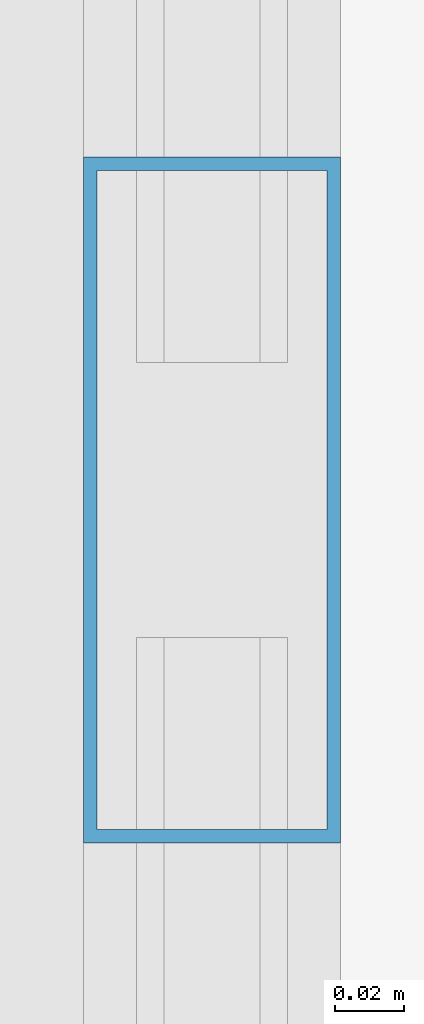
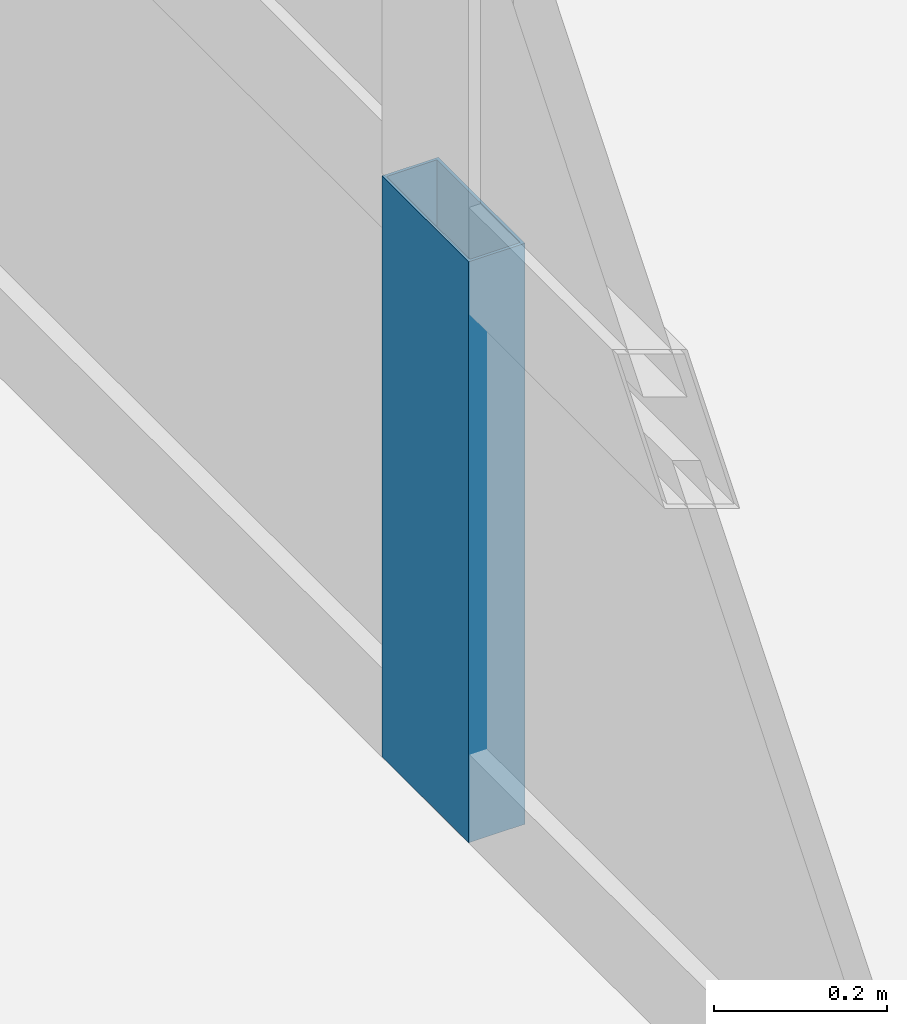
# One storey, part 21 of 35: 1 member, 1 element without a shape of its own.
"""IFC4 building model written with IfcOpenShell, lengths in metres."""

from ifc_helpers import new_model, si_unit, direction, frame, origin, origin_2d, place, context, subcontext, project, spatial, hollow_rectangle, extrude, source, transform, mapped, material, layer, layer_set, material_profile, profile_set, type_object, element, aggregate, save


model = new_model("IFC4")

# Units and contexts
model_context = context("Model", 3, precision=1e-05, world=origin(), true_north=direction((0.0, 1.0)))
body_context = subcontext(model_context, "Body", "Model", "MODEL_VIEW")
ifc_project = project(units=[si_unit("LENGTHUNIT", "METRE"), si_unit("AREAUNIT", "SQUARE_METRE"), si_unit("VOLUMEUNIT", "CUBIC_METRE"), si_unit("PLANEANGLEUNIT", "RADIAN"), si_unit("MASSUNIT", "GRAM", prefix="KILO"), si_unit("THERMODYNAMICTEMPERATUREUNIT", "KELVIN"), si_unit("POWERUNIT", "WATT")], contexts=[model_context])

# Site, building, storey
site_placement = place(None, origin())
site = spatial("IfcSite", under=ifc_project, at=site_placement, CompositionType="ELEMENT")
building_placement = place(site_placement, origin())
building = spatial("IfcBuilding", under=site, at=building_placement, Name="Yuzanri Waterfront Tower", CompositionType="ELEMENT")
storey_placement = place(building_placement, frame((0.0, 0.0, 343.199951171875)))
storey = spatial("IfcBuildingStorey", under=building, at=storey_placement, Name="L92", CompositionType="ELEMENT", Elevation=343.199951171875)

# Curtain wall, member
ifc_material_1 = material(Name="Anodized Architectural Bronze", Category="metal")
ifc_layer = layer(ifc_material_1, 0.159912109375)
ifc_layer_set = layer_set([ifc_layer], Name="Anodized Architectural Bronze")
curtain_wall_type = type_object("IfcCurtainWallType", Name="Anodized Bronze High-Rise Penthouse High-Wind Unitized Curtain Wall 6900", PredefinedType="NOTDEFINED", material=ifc_layer_set)
curtain_wall_placement = place(storey_placement, origin())
curtain_wall = element("IfcCurtainWall", 1, at=curtain_wall_placement, inside=storey, type_object=curtain_wall_type, Name="L92 Curtain Wall CW-L92-WL", PredefinedType="NOTDEFINED")
ifc_material_2 = material(Name="Anodized Architectural Bronze", Category="metal")
ifc_material_profile = material_profile(ifc_material_2, hollow_rectangle(XDim=0.074951171875, YDim=0.199951171875, WallThickness=0.00390625, at=origin_2d()), Name="CWM 75x200")
ifc_profile_set = profile_set([ifc_material_profile], Name="Anodized Architectural Bronze")
member_type = type_object("IfcMemberType", Name="Anodized Bronze Primary Curtain-Wall Mullion 75x200", PredefinedType="MULLION", material=ifc_profile_set)
shared_shape = source(origin(), body_context, "Body", "SweptSolid", [
    extrude(hollow_rectangle(XDim=0.074951171875, YDim=0.199951171875, WallThickness=0.00390625, at=origin_2d()), origin(), (0.0, 0.0, 1.0), 0.818115234375),
])
member_placement = place(storey_placement, frame((18.050048828125, 19.75, 0.0), z_axis=(0.0, 0.0, 1.0), x_axis=(1.0, 0.0, 0.0)))
member = element("IfcMember", 2, at=member_placement, type_object=member_type, Name="CW-L92-WL Lower Mullion 01", PredefinedType="MULLION", context=body_context, shape_type="MappedRepresentation", body=[
    mapped(shared_shape, transform((0.0, 0.0, 0.0), scale=1.0)),
])
aggregate(curtain_wall, [member])

save(model, "model.ifc")
